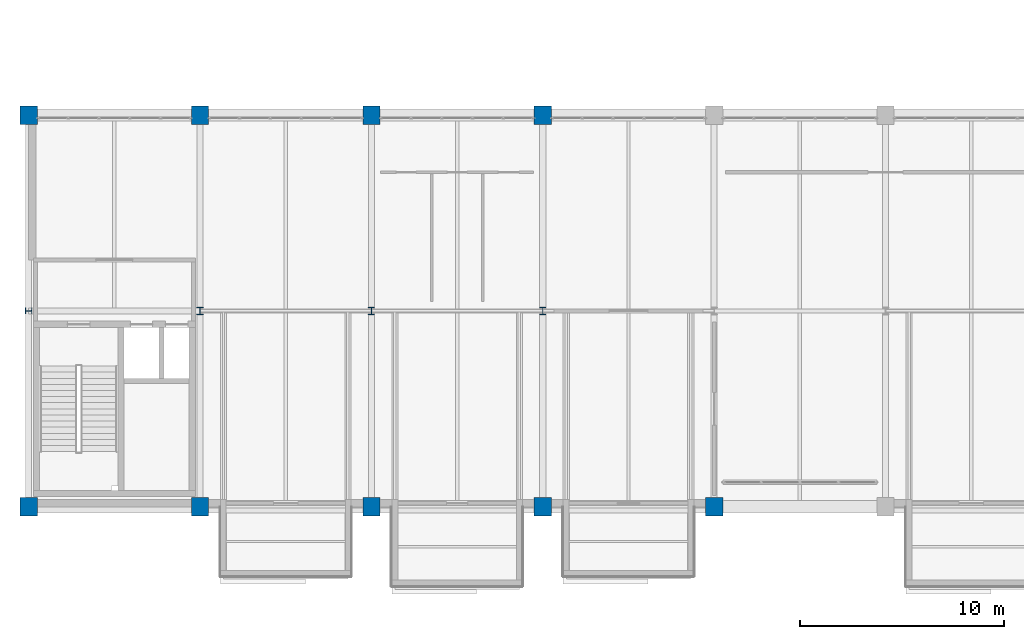
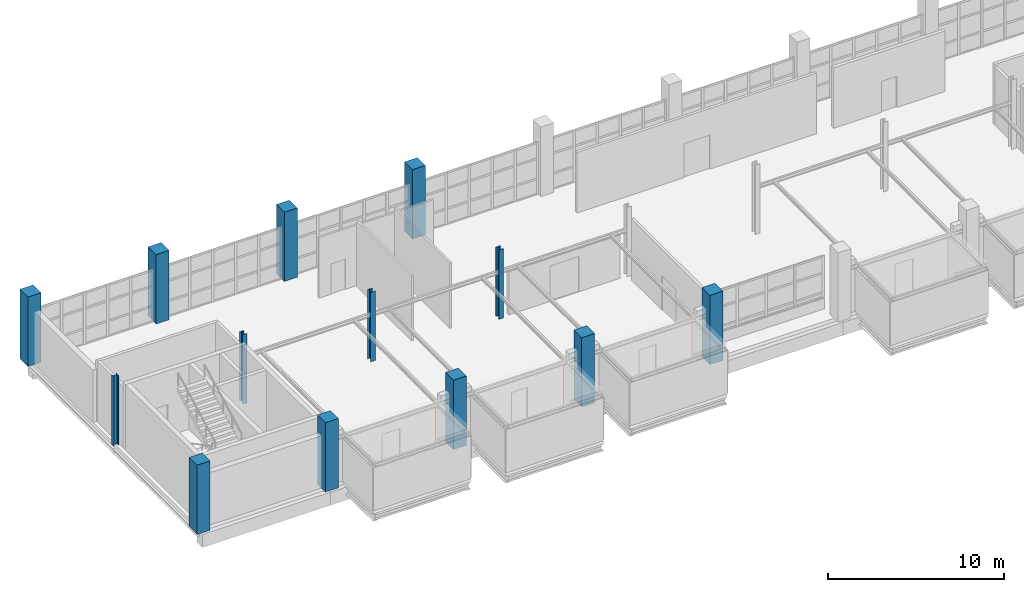
# One storey, part 1 of 29: 13 columns.
"""IFC4 building model written with IfcOpenShell, lengths in metres."""

from ifc_helpers import new_model, si_unit, direction, frame, origin, origin_2d, place, context, subcontext, project, spatial, rectangle, i_section, extrude, material, material_profile, profile_set, type_object, element, save


model = new_model("IFC4")

# Units and contexts
model_context = context("Model", 3, precision=1e-05, world=origin(), true_north=direction((0.0, 1.0)))
body_context = subcontext(model_context, "Body", "Model", "MODEL_VIEW")
ifc_project = project(units=[si_unit("LENGTHUNIT", "METRE"), si_unit("AREAUNIT", "SQUARE_METRE"), si_unit("VOLUMEUNIT", "CUBIC_METRE"), si_unit("PLANEANGLEUNIT", "RADIAN"), si_unit("MASSUNIT", "GRAM", prefix="KILO")], contexts=[model_context])

# Site, building, storey
site_placement = place(None, origin())
site = spatial("IfcSite", under=ifc_project, at=site_placement, CompositionType="ELEMENT")
building_placement = place(site_placement, origin())
building = spatial("IfcBuilding", under=site, at=building_placement, Name="Veltarok Museum of Natural Sciences", CompositionType="ELEMENT")
storey_placement = place(building_placement, frame((0.0, 0.0, 26.39990234375)))
storey = spatial("IfcBuildingStorey", under=building, at=storey_placement, Name="L05", CompositionType="ELEMENT", Elevation=26.39990234375)

# Columns
ifc_material_1 = material(Name="Concrete C40/50", Category="concrete")
ifc_material_profile_1 = material_profile(ifc_material_1, rectangle(XDim=0.85009765625, YDim=0.89990234375, at=origin_2d()), Name="RC 850x900")
ifc_profile_set_1 = profile_set([ifc_material_profile_1], Name="Concrete C40/50")
column_type_1 = type_object("IfcColumnType", Name="Exposed Cabinet Grid Column RC 850x900", PredefinedType="COLUMN", material=ifc_profile_set_1)
for number, where, z_axis, x_axis, name in (
    (1, (31.60009765625, 0.0, 0.0), (0.0, 0.0, 1.0), (1.0, 0.0, 0.0), "Column COL-CAB01 L05 4/A"),
    (2, (31.60009765625, 19.199951171875, 0.0), (0.0, 0.0, 1.0), (1.0, 0.0, 0.0), "Column COL-CAB01 L05 4/C"),
    (3, (40.0, 0.0, 0.0), (0.0, 0.0, 1.0), (1.0, 0.0, 0.0), "Column COL-CAB01 L05 5/A"),
    (4, (40.0, 19.199951171875, 0.0), (0.0, 0.0, 1.0), (1.0, 0.0, 0.0), "Column COL-CAB01 L05 5/C"),
    (5, (48.39990234375, 0.0, 0.0), (0.0, 0.0, 1.0), (1.0, 0.0, 0.0), "Column COL-CAB01 L05 6/A"),
    (6, (48.39990234375, 19.199951171875, 0.0), (0.0, 0.0, 1.0), (1.0, 0.0, 0.0), "Column COL-CAB01 L05 6/C"),
    (7, (56.800048828125, 0.0, 0.0), (0.0, 0.0, 1.0), (1.0, 0.0, 0.0), "Column COL-CAB01 L05 7/A"),
    (8, (56.800048828125, 19.199951171875, 0.0), (0.0, 0.0, 1.0), (1.0, 0.0, 0.0), "Column COL-CAB01 L05 7/C"),
    (9, (65.199951171875, 0.0, 0.0), (0.0, 0.0, 1.0), (1.0, 0.0, 0.0), "Column COL-CAB01 L05 8/A"),
):
    element("IfcColumn", number, at=place(storey_placement, frame(where, z_axis=z_axis, x_axis=x_axis)), inside=storey, type_object=column_type_1, Name=name, PredefinedType="COLUMN", context=body_context, shape_type="SweptSolid", body=[
        extrude(rectangle(XDim=0.85009765625, YDim=0.89990234375, at=origin_2d()), origin(), (0.0, 0.0, 1.0), 4.800048828125),
    ])
ifc_material_2 = material(Name="Steel S355J2", Category="steel")
ifc_material_profile_2 = material_profile(ifc_material_2, i_section(OverallWidth=0.300048828125, OverallDepth=0.320068359375, WebThickness=0.011474609375, FlangeThickness=0.0205078125, FilletRadius=0.027099609375, at=origin_2d()), Name="HEB 320")
ifc_profile_set_2 = profile_set([ifc_material_profile_2], Name="Steel S355J2")
column_type_2 = type_object("IfcColumnType", Name="Perimeter Upper Column HEB 320", PredefinedType="COLUMN", material=ifc_profile_set_2)
column_placement = place(storey_placement, frame((31.60009765625, 9.60009765625, 0.0), z_axis=(0.0, 0.0, 1.0), x_axis=(0.0, 1.0, 0.0)))
element("IfcColumn", 10, at=column_placement, inside=storey, type_object=column_type_2, Name="Column COL-EXT04 L05 4/B", PredefinedType="COLUMN", context=body_context, shape_type="SweptSolid", body=[
    extrude(i_section(OverallWidth=0.300048828125, OverallDepth=0.320068359375, WebThickness=0.011474609375, FlangeThickness=0.0205078125, FilletRadius=0.027099609375, at=origin_2d()), origin(), (0.0, 0.0, 1.0), 4.800048828125),
])
ifc_material_profile_3 = material_profile(ifc_material_2, i_section(OverallWidth=0.300048828125, OverallDepth=0.360107421875, WebThickness=0.012451171875, FlangeThickness=0.0224609375, FilletRadius=0.027099609375, at=origin_2d()), Name="HEB 360")
ifc_profile_set_3 = profile_set([ifc_material_profile_3], Name="Steel S355J2")
column_type_3 = type_object("IfcColumnType", Name="Secondary Hall Column HEB 360", PredefinedType="COLUMN", material=ifc_profile_set_3)
for number, where, z_axis, x_axis, name in (
    (11, (40.0, 9.60009765625, 0.0), (0.0, 0.0, 1.0), (1.0, 0.0, 0.0), "Column COL-S07 L05 5/B"),
    (12, (48.39990234375, 9.60009765625, 0.0), (0.0, 0.0, 1.0), (1.0, 0.0, 0.0), "Column COL-S07 L05 6/B"),
    (13, (56.800048828125, 9.60009765625, 0.0), (0.0, 0.0, 1.0), (1.0, 0.0, 0.0), "Column COL-S07 L05 7/B"),
):
    element("IfcColumn", number, at=place(storey_placement, frame(where, z_axis=z_axis, x_axis=x_axis)), inside=storey, type_object=column_type_3, Name=name, PredefinedType="COLUMN", context=body_context, shape_type="SweptSolid", body=[
        extrude(i_section(OverallWidth=0.300048828125, OverallDepth=0.360107421875, WebThickness=0.012451171875, FlangeThickness=0.0224609375, FilletRadius=0.027099609375, at=origin_2d()), origin(), (0.0, 0.0, 1.0), 4.800048828125),
    ])

save(model, "model.ifc")
